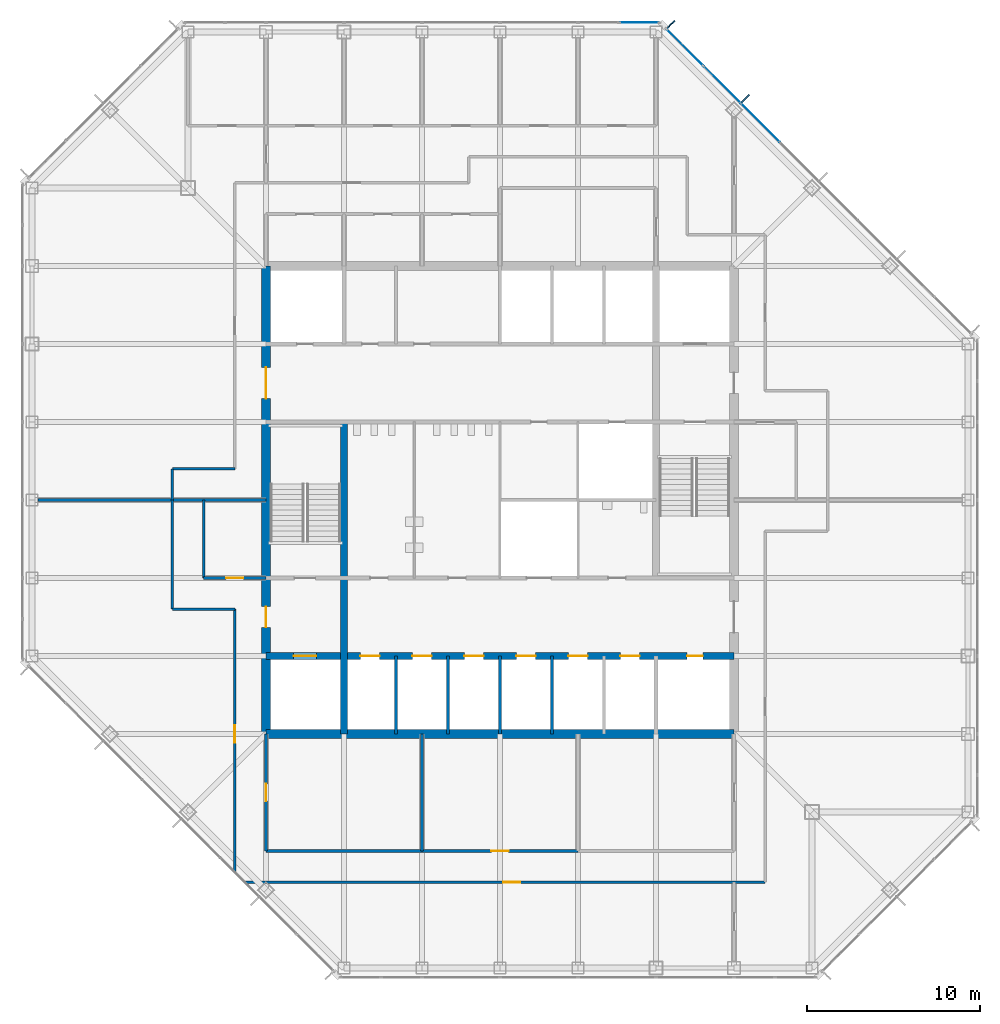
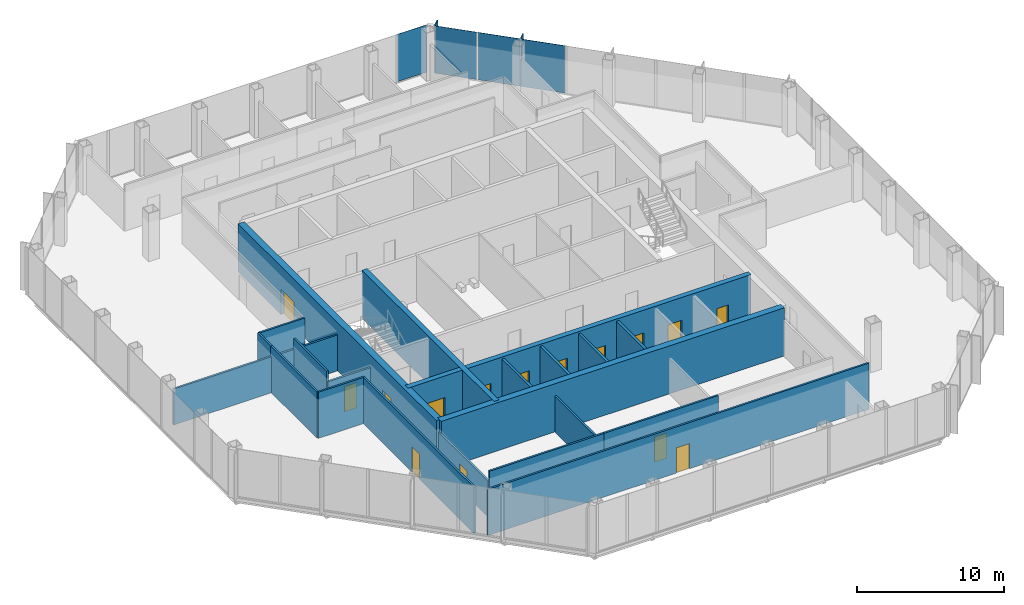
# One storey, part 8 of 13: 21 walls, 15 doors, 6 plates, 15 openings, 2 elements without a shape of their own.
"""IFC4 building model written with IfcOpenShell, lengths in metres."""

from ifc_helpers import new_model, si_unit, direction, frame, frame_2d, origin, origin_2d, place, context, subcontext, project, spatial, rectangle, extrude, material, layer, layer_set, type_object, element, fill, aggregate, save


model = new_model("IFC4")

# Units and contexts
model_context = context("Model", 3, precision=1e-05, world=origin(), true_north=direction((0.0, 1.0)))
body_context = subcontext(model_context, "Body", "Model", "MODEL_VIEW")
ifc_project = project(units=[si_unit("LENGTHUNIT", "METRE"), si_unit("AREAUNIT", "SQUARE_METRE"), si_unit("VOLUMEUNIT", "CUBIC_METRE"), si_unit("PLANEANGLEUNIT", "RADIAN"), si_unit("MASSUNIT", "GRAM", prefix="KILO")], contexts=[model_context])

# Site, building, storey
site_placement = place(None, origin())
site = spatial("IfcSite", under=ifc_project, at=site_placement, CompositionType="ELEMENT")
building_placement = place(site_placement, origin())
building = spatial("IfcBuilding", under=site, at=building_placement, Name="Corais Broadcast Tower", CompositionType="ELEMENT")
storey_placement = place(building_placement, frame((0.0, 0.0, 167.60009765625)))
storey = spatial("IfcBuildingStorey", under=building, at=storey_placement, Name="L38", CompositionType="ELEMENT", Elevation=167.60009765625)

# Curtain wall, plates
ifc_material_1 = material(Name="Aluminium and glass", Category="aluminium")
curtain_wall_type = type_object("IfcCurtainWallType", Name="Unitised fritted curtain wall CW2", PredefinedType="NOTDEFINED", material=ifc_material_1)
curtain_wall_1_placement = place(storey_placement, origin())
curtain_wall_1 = element("IfcCurtainWall", 1, at=curtain_wall_1_placement, inside=storey, type_object=curtain_wall_type, Name="CW2 curtain wall L38 5", PredefinedType="NOTDEFINED")
ifc_material_2 = material(Name="Ceramic-fritted laminated glass", Category="glass")
ifc_layer_1 = layer(ifc_material_2, 0.028076171875)
ifc_layer_set_1 = layer_set([ifc_layer_1], Name="Ceramic-fritted laminated glass")
plate_type_1 = type_object("IfcPlateType", Name="Fritted glass panel CW2", PredefinedType="CURTAIN_PANEL", material=ifc_layer_set_1)
plate_1_placement = place(storey_placement, frame((37.669677734375, 53.108154296875, 0.06494140625), z_axis=(0.0, 0.0, 1.0), x_axis=(0.707106781187, -0.707106781187, 0.0)))
plate_1 = element("IfcPlate", 2, at=plate_1_placement, type_object=plate_type_1, Name="CW2 panel 1", PredefinedType="CURTAIN_PANEL", context=body_context, shape_type="SweptSolid", body=[
    extrude(rectangle(XDim=2.9482421875, YDim=0.028076171875, at=origin_2d()), origin(), (0.0, 0.0, 1.0), 3.93505859375),
])
plate_2_placement = place(storey_placement, frame((42.013916015625, 48.763916015625, 0.06494140625), z_axis=(0.0, 0.0, 1.0), x_axis=(0.707106781187, -0.707106781187, 0.0)))
plate_2 = element("IfcPlate", 3, at=plate_2_placement, type_object=plate_type_1, Name="CW2 panel 3", PredefinedType="CURTAIN_PANEL", context=body_context, shape_type="SweptSolid", body=[
    extrude(rectangle(XDim=3.116943359375, YDim=0.028076171875, at=origin_2d()), origin(), (0.0, 0.0, 1.0), 3.93505859375),
])

# Curtain wall, plate
curtain_wall_2_placement = place(storey_placement, origin())
curtain_wall_2 = element("IfcCurtainWall", 4, at=curtain_wall_2_placement, inside=storey, type_object=curtain_wall_type, Name="CW2 curtain wall L38 4", PredefinedType="NOTDEFINED")
ifc_material_3 = material(Name="Clear laminated glass", Category="glass")
ifc_layer_2 = layer(ifc_material_3, 0.031982421875)
ifc_layer_set_2 = layer_set([ifc_layer_2], Name="Clear laminated glass")
plate_type_2 = type_object("IfcPlateType", Name="Operable glass panel CW2", PredefinedType="CURTAIN_PANEL", material=ifc_layer_set_2)
plate_3_placement = place(storey_placement, frame((35.029541015625, 54.550048828125, 0.06494140625), z_axis=(0.0, 0.0, 1.0), x_axis=(1.0, 0.0, 0.0)))
plate_3 = element("IfcPlate", 5, at=plate_3_placement, type_object=plate_type_2, Name="CW2 operable panel 8", PredefinedType="CURTAIN_PANEL", context=body_context, shape_type="SweptSolid", body=[
    extrude(rectangle(XDim=2.266357421875, YDim=0.031982421875, at=origin_2d()), origin(), (0.0, 0.0, 1.0), 3.93505859375),
])
aggregate(curtain_wall_2, [plate_3])

# Plate
plate_4_placement = place(storey_placement, frame((39.81201171875, 50.9658203125, 0.06494140625), z_axis=(0.0, 0.0, 1.0), x_axis=(0.707106781187, -0.707106781187, 0.0)))
plate_4 = element("IfcPlate", 6, at=plate_4_placement, type_object=plate_type_2, Name="CW2 operable panel 2", PredefinedType="CURTAIN_PANEL", context=body_context, shape_type="SweptSolid", body=[
    extrude(rectangle(XDim=2.98095703125, YDim=0.031982421875, at=origin_2d()), origin(), (0.0, 0.0, 1.0), 3.93505859375),
])

aggregate(curtain_wall_1, [plate_1, plate_4, plate_2])

# Plates
ifc_material_4 = material(Name="Granite stone cladding", Category="masonry")
ifc_layer_3 = layer(ifc_material_4, 0.080078125)
ifc_layer_set_3 = layer_set([ifc_layer_3], Name="Granite stone cladding")
plate_type_3 = type_object("IfcPlateType", Name="Stone screen fin 80x600", PredefinedType="USERDEFINED", material=ifc_layer_set_3)
for number, where, z_axis, x_axis, name in (
    (7, (36.8779296875, 54.447021484375, 0.0), (0.0, 0.0, 1.0), (0.707106781187, -0.707106781187, 0.0), "SF1 stone screen fin L38"),
    (8, (41.16259765625, 50.16259765625, 0.0), (0.0, 0.0, 1.0), (0.707106781187, -0.707106781187, 0.0), "SF1 stone screen fin L38"),
):
    element("IfcPlate", number, at=place(storey_placement, frame(where, z_axis=z_axis, x_axis=x_axis)), inside=storey, type_object=plate_type_3, Name=name, ObjectType="STONE SCREEN FIN", PredefinedType="USERDEFINED", context=body_context, shape_type="SweptSolid", body=[
        extrude(rectangle(XDim=0.080078125, YDim=0.60009765625, at=origin_2d()), origin(), (0.0, 0.0, 1.0), 4.0),
    ])

# Wall
ifc_material_5 = material(Name="Concrete C50/60", Category="concrete")
ifc_layer_4 = layer(ifc_material_5, 0.39990234375)
ifc_layer_set_4 = layer_set([ifc_layer_4], Name="Concrete C50/60")
wall_type_1 = type_object("IfcWallType", Name="Core wall 400", PredefinedType="SHEAR", material=ifc_layer_set_4)
wall_1_placement = place(storey_placement, frame((18.0, 13.5, 0.0), z_axis=(0.0, 0.0, 1.0), x_axis=(0.0, 1.0, 0.0)))
element("IfcWall", 9, at=wall_1_placement, inside=storey, type_object=wall_type_1, Name="CR400 core wall X18A L38", PredefinedType="SHEAR", context=body_context, shape_type="SweptSolid", body=[
    extrude(rectangle(XDim=18.0, YDim=0.39990234375, at=frame_2d((9.0, 0.0))), origin(), (0.0, 0.0, 1.0), 4.0),
])

# Wall, openings, doors
wall_2_placement = place(storey_placement, frame((13.5, 18.0, 0.0), z_axis=(0.0, 0.0, 1.0), x_axis=(1.0, 0.0, 0.0)))
wall_2 = element("IfcWall", 10, at=wall_2_placement, inside=storey, type_object=wall_type_1, Name="CR400 core wall Y18 L38", PredefinedType="SHEAR", context=body_context, shape_type="SweptSolid", body=[
    extrude(rectangle(XDim=27.0, YDim=0.39990234375, at=frame_2d((13.5, 0.0))), origin(), (0.0, 0.0, 1.0), 4.0),
])
opening_1_placement = place(wall_2_placement, frame((24.300048828125, 0.0, 0.0)))
opening_1 = element("IfcOpeningElement", 11, at=opening_1_placement, cuts=wall_2, Name="Opening RD1", PredefinedType="OPENING", context=body_context, shape_type="SweptSolid", body=[
    extrude(rectangle(XDim=0.89990234375, YDim=2.10009765625, at=frame_2d((0.449951171875, 1.050048828125))), frame((0.0, 0.2099609375, 0.0), z_axis=(0.0, -1.0, 0.0), x_axis=(1.0, 0.0, 0.0)), (0.0, 0.0, 1.0), 0.419921875),
])
opening_2_placement = place(wall_2_placement, frame((5.449951171875, 0.0, 0.0)))
opening_2 = element("IfcOpeningElement", 12, at=opening_2_placement, cuts=wall_2, Name="Opening LD1", PredefinedType="OPENING", context=body_context, shape_type="SweptSolid", body=[
    extrude(rectangle(XDim=1.10009765625, YDim=2.10009765625, at=frame_2d((0.550048828125, 1.050048828125))), frame((0.0, 0.2099609375, 0.0), z_axis=(0.0, -1.0, 0.0), x_axis=(1.0, 0.0, 0.0)), (0.0, 0.0, 1.0), 0.419921875),
])
opening_3_placement = place(wall_2_placement, frame((8.449951171875, 0.0, 0.0)))
opening_3 = element("IfcOpeningElement", 13, at=opening_3_placement, cuts=wall_2, Name="Opening LD1", PredefinedType="OPENING", context=body_context, shape_type="SweptSolid", body=[
    extrude(rectangle(XDim=1.10009765625, YDim=2.10009765625, at=frame_2d((0.550048828125, 1.050048828125))), frame((0.0, 0.2099609375, 0.0), z_axis=(0.0, -1.0, 0.0), x_axis=(1.0, 0.0, 0.0)), (0.0, 0.0, 1.0), 0.419921875),
])
opening_4_placement = place(wall_2_placement, frame((11.449951171875, 0.0, 0.0)))
opening_4 = element("IfcOpeningElement", 14, at=opening_4_placement, cuts=wall_2, Name="Opening LD1", PredefinedType="OPENING", context=body_context, shape_type="SweptSolid", body=[
    extrude(rectangle(XDim=1.10009765625, YDim=2.10009765625, at=frame_2d((0.550048828125, 1.050048828125))), frame((0.0, 0.2099609375, 0.0), z_axis=(0.0, -1.0, 0.0), x_axis=(1.0, 0.0, 0.0)), (0.0, 0.0, 1.0), 0.419921875),
])
opening_5_placement = place(wall_2_placement, frame((14.449951171875, 0.0, 0.0)))
opening_5 = element("IfcOpeningElement", 15, at=opening_5_placement, cuts=wall_2, Name="Opening LD1", PredefinedType="OPENING", context=body_context, shape_type="SweptSolid", body=[
    extrude(rectangle(XDim=1.10009765625, YDim=2.10009765625, at=frame_2d((0.550048828125, 1.050048828125))), frame((0.0, 0.2099609375, 0.0), z_axis=(0.0, -1.0, 0.0), x_axis=(1.0, 0.0, 0.0)), (0.0, 0.0, 1.0), 0.419921875),
])
opening_6_placement = place(wall_2_placement, frame((17.449951171875, 0.0, 0.0)))
opening_6 = element("IfcOpeningElement", 16, at=opening_6_placement, cuts=wall_2, Name="Opening LD1", PredefinedType="OPENING", context=body_context, shape_type="SweptSolid", body=[
    extrude(rectangle(XDim=1.10009765625, YDim=2.10009765625, at=frame_2d((0.550048828125, 1.050048828125))), frame((0.0, 0.2099609375, 0.0), z_axis=(0.0, -1.0, 0.0), x_axis=(1.0, 0.0, 0.0)), (0.0, 0.0, 1.0), 0.419921875),
])
opening_7_placement = place(wall_2_placement, frame((20.449951171875, 0.0, 0.0)))
opening_7 = element("IfcOpeningElement", 17, at=opening_7_placement, cuts=wall_2, Name="Opening LD1", PredefinedType="OPENING", context=body_context, shape_type="SweptSolid", body=[
    extrude(rectangle(XDim=1.10009765625, YDim=2.10009765625, at=frame_2d((0.550048828125, 1.050048828125))), frame((0.0, 0.2099609375, 0.0), z_axis=(0.0, -1.0, 0.0), x_axis=(1.0, 0.0, 0.0)), (0.0, 0.0, 1.0), 0.419921875),
])
opening_8_placement = place(wall_2_placement, frame((1.60009765625, 0.0, 0.0)))
opening_8 = element("IfcOpeningElement", 18, at=opening_8_placement, cuts=wall_2, Name="Opening LD2", PredefinedType="OPENING", context=body_context, shape_type="SweptSolid", body=[
    extrude(rectangle(XDim=1.300048828125, YDim=2.199951171875, at=frame_2d((0.64990234375, 1.10009765625))), frame((0.0, 0.2099609375, 0.0), z_axis=(0.0, -1.0, 0.0), x_axis=(1.0, 0.0, 0.0)), (0.0, 0.0, 1.0), 0.419921875),
])
ifc_material_6 = material(Name="Stainless steel lift door", Category="steel")
door_type_1 = type_object("IfcDoorType", Name="Lift landing door 1100x2100", OperationType="SLIDING_TO_LEFT", PredefinedType="DOOR", material=ifc_material_6)
door_1_placement = place(opening_2_placement, origin())
door_1 = element("IfcDoor", 19, at=door_1_placement, inside=storey, type_object=door_type_1, Name="LD1 PM1 landing door L38", OperationType="SLIDING_TO_LEFT", OverallHeight=2.10009765625, OverallWidth=1.10009765625, PredefinedType="DOOR", context=body_context, shape_type="SweptSolid", body=[
    extrude(rectangle(XDim=1.10009765625, YDim=2.10009765625, at=frame_2d((0.550048828125, 1.050048828125))), frame((0.0, 0.02490234375, 0.0), z_axis=(0.0, -1.0, 0.0), x_axis=(1.0, 0.0, 0.0)), (0.0, 0.0, 1.0), 0.050048828125),
])
fill(opening_2, door_1)
door_2_placement = place(opening_3_placement, origin())
door_2 = element("IfcDoor", 20, at=door_2_placement, inside=storey, type_object=door_type_1, Name="LD1 PM2 landing door L38", OperationType="SLIDING_TO_LEFT", OverallHeight=2.10009765625, OverallWidth=1.10009765625, PredefinedType="DOOR", context=body_context, shape_type="SweptSolid", body=[
    extrude(rectangle(XDim=1.10009765625, YDim=2.10009765625, at=frame_2d((0.550048828125, 1.050048828125))), frame((0.0, 0.02490234375, 0.0), z_axis=(0.0, -1.0, 0.0), x_axis=(1.0, 0.0, 0.0)), (0.0, 0.0, 1.0), 0.050048828125),
])
fill(opening_3, door_2)
door_3_placement = place(opening_4_placement, origin())
door_3 = element("IfcDoor", 21, at=door_3_placement, inside=storey, type_object=door_type_1, Name="LD1 PM3 landing door L38", OperationType="SLIDING_TO_LEFT", OverallHeight=2.10009765625, OverallWidth=1.10009765625, PredefinedType="DOOR", context=body_context, shape_type="SweptSolid", body=[
    extrude(rectangle(XDim=1.10009765625, YDim=2.10009765625, at=frame_2d((0.550048828125, 1.050048828125))), frame((0.0, 0.02490234375, 0.0), z_axis=(0.0, -1.0, 0.0), x_axis=(1.0, 0.0, 0.0)), (0.0, 0.0, 1.0), 0.050048828125),
])
fill(opening_4, door_3)
door_4_placement = place(opening_5_placement, origin())
door_4 = element("IfcDoor", 22, at=door_4_placement, inside=storey, type_object=door_type_1, Name="LD1 PM4 landing door L38", OperationType="SLIDING_TO_LEFT", OverallHeight=2.10009765625, OverallWidth=1.10009765625, PredefinedType="DOOR", context=body_context, shape_type="SweptSolid", body=[
    extrude(rectangle(XDim=1.10009765625, YDim=2.10009765625, at=frame_2d((0.550048828125, 1.050048828125))), frame((0.0, 0.02490234375, 0.0), z_axis=(0.0, -1.0, 0.0), x_axis=(1.0, 0.0, 0.0)), (0.0, 0.0, 1.0), 0.050048828125),
])
fill(opening_5, door_4)
door_5_placement = place(opening_6_placement, origin())
door_5 = element("IfcDoor", 23, at=door_5_placement, inside=storey, type_object=door_type_1, Name="LD1 PM5 landing door L38", OperationType="SLIDING_TO_LEFT", OverallHeight=2.10009765625, OverallWidth=1.10009765625, PredefinedType="DOOR", context=body_context, shape_type="SweptSolid", body=[
    extrude(rectangle(XDim=1.10009765625, YDim=2.10009765625, at=frame_2d((0.550048828125, 1.050048828125))), frame((0.0, 0.02490234375, 0.0), z_axis=(0.0, -1.0, 0.0), x_axis=(1.0, 0.0, 0.0)), (0.0, 0.0, 1.0), 0.050048828125),
])
fill(opening_6, door_5)
door_6_placement = place(opening_7_placement, origin())
door_6 = element("IfcDoor", 24, at=door_6_placement, inside=storey, type_object=door_type_1, Name="LD1 PM6 landing door L38", OperationType="SLIDING_TO_LEFT", OverallHeight=2.10009765625, OverallWidth=1.10009765625, PredefinedType="DOOR", context=body_context, shape_type="SweptSolid", body=[
    extrude(rectangle(XDim=1.10009765625, YDim=2.10009765625, at=frame_2d((0.550048828125, 1.050048828125))), frame((0.0, 0.02490234375, 0.0), z_axis=(0.0, -1.0, 0.0), x_axis=(1.0, 0.0, 0.0)), (0.0, 0.0, 1.0), 0.050048828125),
])
fill(opening_7, door_6)
ifc_material_7 = material(Name="Stainless steel lift door", Category="steel")
door_type_2 = type_object("IfcDoorType", Name="Lift landing door 1300x2200", OperationType="SLIDING_TO_LEFT", PredefinedType="DOOR", material=ifc_material_7)
door_7_placement = place(opening_8_placement, origin())
door_7 = element("IfcDoor", 25, at=door_7_placement, inside=storey, type_object=door_type_2, Name="LD2 FL1 landing door L38", OperationType="SLIDING_TO_LEFT", OverallHeight=2.199951171875, OverallWidth=1.300048828125, PredefinedType="DOOR", context=body_context, shape_type="SweptSolid", body=[
    extrude(rectangle(XDim=1.300048828125, YDim=2.199951171875, at=frame_2d((0.64990234375, 1.10009765625))), frame((0.0, 0.02490234375, 0.0), z_axis=(0.0, -1.0, 0.0), x_axis=(1.0, 0.0, 0.0)), (0.0, 0.0, 1.0), 0.050048828125),
])
fill(opening_8, door_7)
ifc_material_8 = material(Name="Steel fire door", Category="steel")
door_type_3 = type_object("IfcDoorType", Name="Riser door 900x2100", OperationType="SINGLE_SWING_LEFT", PredefinedType="DOOR", material=ifc_material_8)
door_8_placement = place(opening_1_placement, origin())
door_8 = element("IfcDoor", 26, at=door_8_placement, inside=storey, type_object=door_type_3, Name="RD1 riser door L38", OperationType="SINGLE_SWING_RIGHT", OverallHeight=2.10009765625, OverallWidth=0.89990234375, PredefinedType="DOOR", context=body_context, shape_type="SweptSolid", body=[
    extrude(rectangle(XDim=0.89990234375, YDim=2.10009765625, at=frame_2d((0.449951171875, 1.050048828125))), frame((0.0, 0.02490234375, 0.0), z_axis=(0.0, -1.0, 0.0), x_axis=(1.0, 0.0, 0.0)), (0.0, 0.0, 1.0), 0.050048828125),
])
fill(opening_1, door_8)

# Wall
ifc_material_9 = material(Name="Concrete C50/60", Category="concrete")
ifc_layer_5 = layer(ifc_material_9, 0.5)
ifc_layer_set_5 = layer_set([ifc_layer_5], Name="Concrete C50/60")
wall_type_2 = type_object("IfcWallType", Name="Core wall 500", PredefinedType="SHEAR", material=ifc_layer_set_5)
wall_3_placement = place(storey_placement, frame((13.5, 13.5, 0.0), z_axis=(0.0, 0.0, 1.0), x_axis=(1.0, 0.0, 0.0)))
element("IfcWall", 27, at=wall_3_placement, inside=storey, type_object=wall_type_2, Name="CR500 core wall S L38", PredefinedType="SHEAR", context=body_context, shape_type="SweptSolid", body=[
    extrude(rectangle(XDim=27.0, YDim=0.5, at=frame_2d((13.5, 0.0))), origin(), (0.0, 0.0, 1.0), 4.0),
])

# Wall, openings, doors
wall_4_placement = place(storey_placement, frame((13.5, 40.5, 0.0), z_axis=(0.0, 0.0, 1.0), x_axis=(0.0, -1.0, 0.0)))
wall_4 = element("IfcWall", 28, at=wall_4_placement, inside=storey, type_object=wall_type_2, Name="CR500 core wall W L38", PredefinedType="SHEAR", context=body_context, shape_type="SweptSolid", body=[
    extrude(rectangle(XDim=27.0, YDim=0.5, at=frame_2d((13.5, 0.0))), origin(), (0.0, 0.0, 1.0), 4.0),
])
opening_9_placement = place(wall_4_placement, frame((19.64990234375, 0.0, 0.0)))
opening_9 = element("IfcOpeningElement", 29, at=opening_9_placement, cuts=wall_4, Name="Opening FD1", PredefinedType="OPENING", context=body_context, shape_type="SweptSolid", body=[
    extrude(rectangle(XDim=1.199951171875, YDim=2.10009765625, at=frame_2d((0.60009765625, 1.050048828125))), frame((0.0, 0.260009765625, 0.0), z_axis=(0.0, -1.0, 0.0), x_axis=(1.0, 0.0, 0.0)), (0.0, 0.0, 1.0), 0.52001953125),
])
opening_10_placement = place(wall_4_placement, frame((5.85009765625, 0.0, 0.0)))
opening_10 = element("IfcOpeningElement", 30, at=opening_10_placement, cuts=wall_4, Name="Opening FD2", PredefinedType="OPENING", context=body_context, shape_type="SweptSolid", body=[
    extrude(rectangle(XDim=1.800048828125, YDim=2.10009765625, at=frame_2d((0.89990234375, 1.050048828125))), frame((0.0, 0.260009765625, 0.0), z_axis=(0.0, -1.0, 0.0), x_axis=(1.0, 0.0, 0.0)), (0.0, 0.0, 1.0), 0.52001953125),
])
ifc_material_10 = material(Name="Steel fire door", Category="steel")
door_type_4 = type_object("IfcDoorType", Name="Fire door 1200x2100", OperationType="SINGLE_SWING_LEFT", PredefinedType="DOOR", material=ifc_material_10)
door_9_placement = place(opening_9_placement, origin())
door_9 = element("IfcDoor", 31, at=door_9_placement, inside=storey, type_object=door_type_4, Name="FD1 fire lobby A door L38", OperationType="SINGLE_SWING_RIGHT", OverallHeight=2.10009765625, OverallWidth=1.199951171875, PredefinedType="DOOR", context=body_context, shape_type="SweptSolid", body=[
    extrude(rectangle(XDim=1.199951171875, YDim=2.10009765625, at=frame_2d((0.60009765625, 1.050048828125))), frame((0.0, 0.02490234375, 0.0), z_axis=(0.0, -1.0, 0.0), x_axis=(1.0, 0.0, 0.0)), (0.0, 0.0, 1.0), 0.050048828125),
])
fill(opening_9, door_9)
ifc_material_11 = material(Name="Steel fire door", Category="steel")
door_type_5 = type_object("IfcDoorType", Name="Fire door pair 1800x2100", OperationType="DOUBLE_DOOR_SINGLE_SWING", PredefinedType="DOOR", material=ifc_material_11)
door_10_placement = place(opening_10_placement, origin())
door_10 = element("IfcDoor", 32, at=door_10_placement, inside=storey, type_object=door_type_5, Name="FD2 lift lobby door L38", OperationType="SINGLE_SWING_LEFT", OverallHeight=2.10009765625, OverallWidth=1.800048828125, PredefinedType="DOOR", context=body_context, shape_type="SweptSolid", body=[
    extrude(rectangle(XDim=1.800048828125, YDim=2.10009765625, at=frame_2d((0.89990234375, 1.050048828125))), frame((0.0, 0.02490234375, 0.0), z_axis=(0.0, -1.0, 0.0), x_axis=(1.0, 0.0, 0.0)), (0.0, 0.0, 1.0), 0.050048828125),
])
fill(opening_10, door_10)

# Walls
ifc_material_12 = material(Name="Two layers of fire-rated gypsum board each side on steel studs", Category="steel")
ifc_layer_6 = layer(ifc_material_12, 0.14990234375)
ifc_layer_set_6 = layer_set([ifc_layer_6], Name="Two layers of fire-rated gypsum board each side on steel studs")
wall_type_3 = type_object("IfcWallType", Name="Fire-rated partition 150 EI 60", PredefinedType="PARTITIONING", material=ifc_layer_set_6)
wall_5_placement = place(storey_placement, frame((0.360107421875, 27.0, 0.0), z_axis=(0.0, 0.0, 1.0), x_axis=(1.0, 0.0, 0.0)))
element("IfcWall", 33, at=wall_5_placement, inside=storey, type_object=wall_type_3, Name="IW7 tenancy wall L38", PredefinedType="PARTITIONING", context=body_context, shape_type="SweptSolid", body=[
    extrude(rectangle(XDim=13.139892578125, YDim=0.14990234375, at=frame_2d((6.56982421875, 0.0))), origin(), (0.0, 0.0, 1.0), 2.989013671875),
])
ifc_material_13 = material(Name="Gypsum board on steel studs", Category="steel")
ifc_layer_7 = layer(ifc_material_13, 0.14990234375)
ifc_layer_set_7 = layer_set([ifc_layer_7], Name="Gypsum board on steel studs")
wall_type_4 = type_object("IfcWallType", Name="Partition 150", PredefinedType="PARTITIONING", material=ifc_layer_set_7)
wall_6_placement = place(storey_placement, frame((11.699951171875, 28.800048828125, 0.0), z_axis=(0.0, 0.0, 1.0), x_axis=(-1.0, 0.0, 0.0)))
element("IfcWall", 34, at=wall_6_placement, inside=storey, type_object=wall_type_4, Name="IW3 corridor wall L38", PredefinedType="PARTITIONING", context=body_context, shape_type="SweptSolid", body=[
    extrude(rectangle(XDim=3.599853515625, YDim=0.14990234375, at=frame_2d((1.7998046875, 0.0))), origin(), (0.0, 0.0, 1.0), 3.83984375),
])
wall_7_placement = place(storey_placement, frame((8.10009765625, 28.800048828125, 0.0), z_axis=(0.0, 0.0, 1.0), x_axis=(0.0, -1.0, 0.0)))
element("IfcWall", 35, at=wall_7_placement, inside=storey, type_object=wall_type_4, Name="IW3 corridor wall L38", PredefinedType="PARTITIONING", context=body_context, shape_type="SweptSolid", body=[
    extrude(rectangle(XDim=1.799560546875, YDim=0.14990234375, at=frame_2d((0.89990234375, 0.0))), origin(), (0.0, 0.0, 1.0), 3.83984375),
])

# Wall, opening, door
wall_8_placement = place(storey_placement, frame((12.314697265625, 4.949951171875, 0.0), z_axis=(0.0, 0.0, 1.0), x_axis=(1.0, 0.0, 0.0)))
wall_8 = element("IfcWall", 36, at=wall_8_placement, inside=storey, type_object=wall_type_4, Name="IW3 corridor wall L38", PredefinedType="PARTITIONING", context=body_context, shape_type="SweptSolid", body=[
    extrude(rectangle(XDim=29.9853515625, YDim=0.14990234375, at=frame_2d((14.99267578125, 0.0))), origin(), (0.0, 0.0, 1.0), 3.83984375),
])
opening_11_placement = place(wall_8_placement, frame((14.8603515625, 0.0, 0.0)))
opening_11 = element("IfcOpeningElement", 37, at=opening_11_placement, cuts=wall_8, Name="Opening D1", PredefinedType="OPENING", context=body_context, shape_type="SweptSolid", body=[
    extrude(rectangle(XDim=1.0, YDim=2.10009765625, at=frame_2d((0.5, 1.050048828125))), frame((0.0, 0.0849609375, 0.0), z_axis=(0.0, -1.0, 0.0), x_axis=(1.0, 0.0, 0.0)), (0.0, 0.0, 1.0), 0.169921875),
])
ifc_material_14 = material(Name="Timber door", Category="wood")
door_type_6 = type_object("IfcDoorType", Name="Single door 1000x2100", OperationType="SINGLE_SWING_LEFT", PredefinedType="DOOR", material=ifc_material_14)
door_11_placement = place(opening_11_placement, origin())
door_11 = element("IfcDoor", 38, at=door_11_placement, inside=storey, type_object=door_type_6, Name="D1 workplace door L38", OperationType="SINGLE_SWING_RIGHT", OverallHeight=2.10009765625, OverallWidth=1.0, PredefinedType="DOOR", context=body_context, shape_type="SweptSolid", body=[
    extrude(rectangle(XDim=1.0, YDim=2.10009765625, at=frame_2d((0.5, 1.050048828125))), frame((0.0, 0.02490234375, 0.0), z_axis=(0.0, -1.0, 0.0), x_axis=(1.0, 0.0, 0.0)), (0.0, 0.0, 1.0), 0.050048828125),
])
fill(opening_11, door_11)

wall_9_placement = place(storey_placement, frame((11.699951171875, 20.699951171875, 0.0), z_axis=(0.0, 0.0, 1.0), x_axis=(0.0, -1.0, 0.0)))
wall_9 = element("IfcWall", 39, at=wall_9_placement, inside=storey, type_object=wall_type_4, Name="IW3 corridor wall L38", PredefinedType="PARTITIONING", context=body_context, shape_type="SweptSolid", body=[
    extrude(rectangle(XDim=15.13525390625, YDim=0.14990234375, at=frame_2d((7.567626953125, 0.0))), origin(), (0.0, 0.0, 1.0), 3.83984375),
])
opening_12_placement = place(wall_9_placement, frame((6.699951171875, 0.0, 0.0)))
opening_12 = element("IfcOpeningElement", 40, at=opening_12_placement, cuts=wall_9, Name="Opening D1", PredefinedType="OPENING", context=body_context, shape_type="SweptSolid", body=[
    extrude(rectangle(XDim=1.0, YDim=2.10009765625, at=frame_2d((0.5, 1.050048828125))), frame((0.0, 0.0849609375, 0.0), z_axis=(0.0, -1.0, 0.0), x_axis=(1.0, 0.0, 0.0)), (0.0, 0.0, 1.0), 0.169921875),
])
door_12_placement = place(opening_12_placement, origin())
door_12 = element("IfcDoor", 41, at=door_12_placement, inside=storey, type_object=door_type_6, Name="D1 workplace door L38", OperationType="SINGLE_SWING_LEFT", OverallHeight=2.10009765625, OverallWidth=1.0, PredefinedType="DOOR", context=body_context, shape_type="SweptSolid", body=[
    extrude(rectangle(XDim=1.0, YDim=2.10009765625, at=frame_2d((0.5, 1.050048828125))), frame((0.0, 0.02490234375, 0.0), z_axis=(0.0, -1.0, 0.0), x_axis=(1.0, 0.0, 0.0)), (0.0, 0.0, 1.0), 0.050048828125),
])
fill(opening_12, door_12)

# Walls
wall_10_placement = place(storey_placement, frame((8.10009765625, 26.99951171875, 0.0), z_axis=(0.0, 0.0, 1.0), x_axis=(0.0, -1.0, 0.0)))
element("IfcWall", 42, at=wall_10_placement, inside=storey, type_object=wall_type_4, Name="IW3 corridor wall L38", PredefinedType="PARTITIONING", context=body_context, shape_type="SweptSolid", body=[
    extrude(rectangle(XDim=6.299560546875, YDim=0.14990234375, at=frame_2d((3.14990234375, 0.0))), origin(), (0.0, 0.0, 1.0), 3.83984375),
])
wall_11_placement = place(storey_placement, frame((8.10009765625, 20.699951171875, 0.0), z_axis=(0.0, 0.0, 1.0), x_axis=(1.0, 0.0, 0.0)))
element("IfcWall", 43, at=wall_11_placement, inside=storey, type_object=wall_type_4, Name="IW3 corridor wall L38", PredefinedType="PARTITIONING", context=body_context, shape_type="SweptSolid", body=[
    extrude(rectangle(XDim=3.599853515625, YDim=0.14990234375, at=frame_2d((1.7998046875, 0.0))), origin(), (0.0, 0.0, 1.0), 3.83984375),
])
wall_12_placement = place(storey_placement, frame((13.5, 6.75, 0.0), z_axis=(0.0, 0.0, 1.0), x_axis=(1.0, 0.0, 0.0)))
element("IfcWall", 44, at=wall_12_placement, inside=storey, type_object=wall_type_4, Name="IW3 partition L38", PredefinedType="PARTITIONING", context=body_context, shape_type="SweptSolid", body=[
    extrude(rectangle(XDim=9.0, YDim=0.14990234375, at=frame_2d((4.5, 0.0))), origin(), (0.0, 0.0, 1.0), 3.83984375),
])
wall_13_placement = place(storey_placement, frame((22.5, 6.75, 0.0), z_axis=(0.0, 0.0, 1.0), x_axis=(0.0, 1.0, 0.0)))
element("IfcWall", 45, at=wall_13_placement, inside=storey, type_object=wall_type_4, Name="IW3 partition L38", PredefinedType="PARTITIONING", context=body_context, shape_type="SweptSolid", body=[
    extrude(rectangle(XDim=6.75, YDim=0.14990234375, at=frame_2d((3.375, 0.0))), origin(), (0.0, 0.0, 1.0), 2.989013671875),
])

# Wall, opening, door
wall_14_placement = place(storey_placement, frame((13.5, 13.5, 0.0), z_axis=(0.0, 0.0, 1.0), x_axis=(0.0, -1.0, 0.0)))
wall_14 = element("IfcWall", 46, at=wall_14_placement, inside=storey, type_object=wall_type_4, Name="IW3 partition L38", PredefinedType="PARTITIONING", context=body_context, shape_type="SweptSolid", body=[
    extrude(rectangle(XDim=6.75, YDim=0.14990234375, at=frame_2d((3.375, 0.0))), origin(), (0.0, 0.0, 1.0), 2.989013671875),
])
opening_13_placement = place(wall_14_placement, frame((2.875, 0.0, 0.0)))
opening_13 = element("IfcOpeningElement", 47, at=opening_13_placement, cuts=wall_14, Name="Opening D1", PredefinedType="OPENING", context=body_context, shape_type="SweptSolid", body=[
    extrude(rectangle(XDim=1.0, YDim=2.10009765625, at=frame_2d((0.5, 1.050048828125))), frame((0.0, 0.0849609375, 0.0), z_axis=(0.0, -1.0, 0.0), x_axis=(1.0, 0.0, 0.0)), (0.0, 0.0, 1.0), 0.169921875),
])
door_13_placement = place(opening_13_placement, origin())
door_13 = element("IfcDoor", 48, at=door_13_placement, inside=storey, type_object=door_type_6, Name="D1 Office door", OperationType="SINGLE_SWING_LEFT", OverallHeight=2.10009765625, OverallWidth=1.0, PredefinedType="DOOR", context=body_context, shape_type="SweptSolid", body=[
    extrude(rectangle(XDim=1.0, YDim=2.10009765625, at=frame_2d((0.5, 1.050048828125))), frame((0.0, 0.02490234375, 0.0), z_axis=(0.0, -1.0, 0.0), x_axis=(1.0, 0.0, 0.0)), (0.0, 0.0, 1.0), 0.050048828125),
])
fill(opening_13, door_13)

wall_15_placement = place(storey_placement, frame((22.5, 6.75, 0.0), z_axis=(0.0, 0.0, 1.0), x_axis=(1.0, 0.0, 0.0)))
wall_15 = element("IfcWall", 49, at=wall_15_placement, inside=storey, type_object=wall_type_4, Name="IW3 partition L38", PredefinedType="PARTITIONING", context=body_context, shape_type="SweptSolid", body=[
    extrude(rectangle(XDim=9.0, YDim=0.14990234375, at=frame_2d((4.5, 0.0))), origin(), (0.0, 0.0, 1.0), 3.83984375),
])
opening_14_placement = place(wall_15_placement, frame((4.0, 0.0, 0.0)))
opening_14 = element("IfcOpeningElement", 50, at=opening_14_placement, cuts=wall_15, Name="Opening D1", PredefinedType="OPENING", context=body_context, shape_type="SweptSolid", body=[
    extrude(rectangle(XDim=1.0, YDim=2.10009765625, at=frame_2d((0.5, 1.050048828125))), frame((0.0, 0.0849609375, 0.0), z_axis=(0.0, -1.0, 0.0), x_axis=(1.0, 0.0, 0.0)), (0.0, 0.0, 1.0), 0.169921875),
])
door_14_placement = place(opening_14_placement, origin())
door_14 = element("IfcDoor", 51, at=door_14_placement, inside=storey, type_object=door_type_6, Name="D1 Office door", OperationType="SINGLE_SWING_LEFT", OverallHeight=2.10009765625, OverallWidth=1.0, PredefinedType="DOOR", context=body_context, shape_type="SweptSolid", body=[
    extrude(rectangle(XDim=1.0, YDim=2.10009765625, at=frame_2d((0.5, 1.050048828125))), frame((0.0, 0.02490234375, 0.0), z_axis=(0.0, -1.0, 0.0), x_axis=(1.0, 0.0, 0.0)), (0.0, 0.0, 1.0), 0.050048828125),
])
fill(opening_14, door_14)

wall_16_placement = place(storey_placement, frame((9.89990234375, 22.5, 0.0), z_axis=(0.0, 0.0, 1.0), x_axis=(1.0, 0.0, 0.0)))
wall_16 = element("IfcWall", 52, at=wall_16_placement, inside=storey, type_object=wall_type_4, Name="IW3 partition L38", PredefinedType="PARTITIONING", context=body_context, shape_type="SweptSolid", body=[
    extrude(rectangle(XDim=3.60009765625, YDim=0.14990234375, at=frame_2d((1.800048828125, 0.0))), origin(), (0.0, 0.0, 1.0), 2.989013671875),
])
opening_15_placement = place(wall_16_placement, frame((1.300048828125, 0.0, 0.0)))
opening_15 = element("IfcOpeningElement", 53, at=opening_15_placement, cuts=wall_16, Name="Opening D1", PredefinedType="OPENING", context=body_context, shape_type="SweptSolid", body=[
    extrude(rectangle(XDim=1.0, YDim=2.10009765625, at=frame_2d((0.5, 1.050048828125))), frame((0.0, 0.0849609375, 0.0), z_axis=(0.0, -1.0, 0.0), x_axis=(1.0, 0.0, 0.0)), (0.0, 0.0, 1.0), 0.169921875),
])
door_15_placement = place(opening_15_placement, origin())
door_15 = element("IfcDoor", 54, at=door_15_placement, inside=storey, type_object=door_type_6, Name="D1 Pantry door", OperationType="SINGLE_SWING_LEFT", OverallHeight=2.10009765625, OverallWidth=1.0, PredefinedType="DOOR", context=body_context, shape_type="SweptSolid", body=[
    extrude(rectangle(XDim=1.0, YDim=2.10009765625, at=frame_2d((0.5, 1.050048828125))), frame((0.0, 0.02490234375, 0.0), z_axis=(0.0, -1.0, 0.0), x_axis=(1.0, 0.0, 0.0)), (0.0, 0.0, 1.0), 0.050048828125),
])
fill(opening_15, door_15)

# Walls
wall_17_placement = place(storey_placement, frame((9.89990234375, 27.0, 0.0), z_axis=(0.0, 0.0, 1.0), x_axis=(0.0, -1.0, 0.0)))
element("IfcWall", 55, at=wall_17_placement, inside=storey, type_object=wall_type_4, Name="IW3 partition L38", PredefinedType="PARTITIONING", context=body_context, shape_type="SweptSolid", body=[
    extrude(rectangle(XDim=4.5, YDim=0.14990234375, at=frame_2d((2.25, 0.0))), origin(), (0.0, 0.0, 1.0), 3.83984375),
])
ifc_material_15 = material(Name="Concrete blockwork class A, grouted, two-hour", Category="masonry")
ifc_layer_8 = layer(ifc_material_15, 0.199951171875)
ifc_layer_set_8 = layer_set([ifc_layer_8], Name="Concrete blockwork class A, grouted, two-hour")
wall_type_5 = type_object("IfcWallType", Name="Shaft wall 200", PredefinedType="PARTITIONING", material=ifc_layer_set_8)
for number, where, z_axis, x_axis, name in (
    (56, (21.0, 13.5, 0.0), (0.0, 0.0, 1.0), (0.0, 1.0, 0.0), "IW1 shaft wall L38"),
    (57, (24.0, 13.5, 0.0), (0.0, 0.0, 1.0), (0.0, 1.0, 0.0), "IW1 shaft wall L38"),
    (58, (27.0, 13.5, 0.0), (0.0, 0.0, 1.0), (0.0, 1.0, 0.0), "IW1 shaft wall L38"),
    (59, (30.0, 13.5, 0.0), (0.0, 0.0, 1.0), (0.0, 1.0, 0.0), "IW1 shaft wall L38"),
):
    element("IfcWall", number, at=place(storey_placement, frame(where, z_axis=z_axis, x_axis=x_axis)), inside=storey, type_object=wall_type_5, Name=name, PredefinedType="PARTITIONING", context=body_context, shape_type="SweptSolid", body=[
        extrude(rectangle(XDim=4.5, YDim=0.199951171875, at=frame_2d((2.25, 0.0))), origin(), (0.0, 0.0, 1.0), 3.83984375),
    ])

save(model, "model.ifc")
